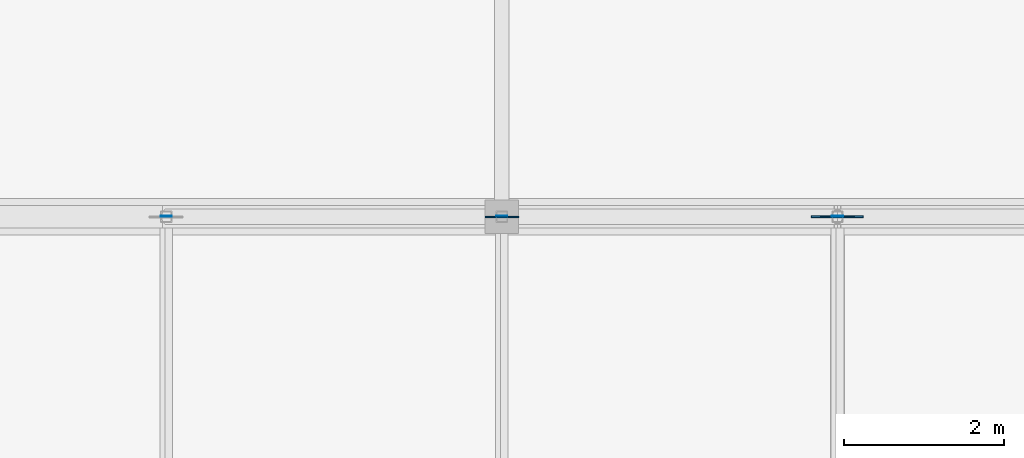
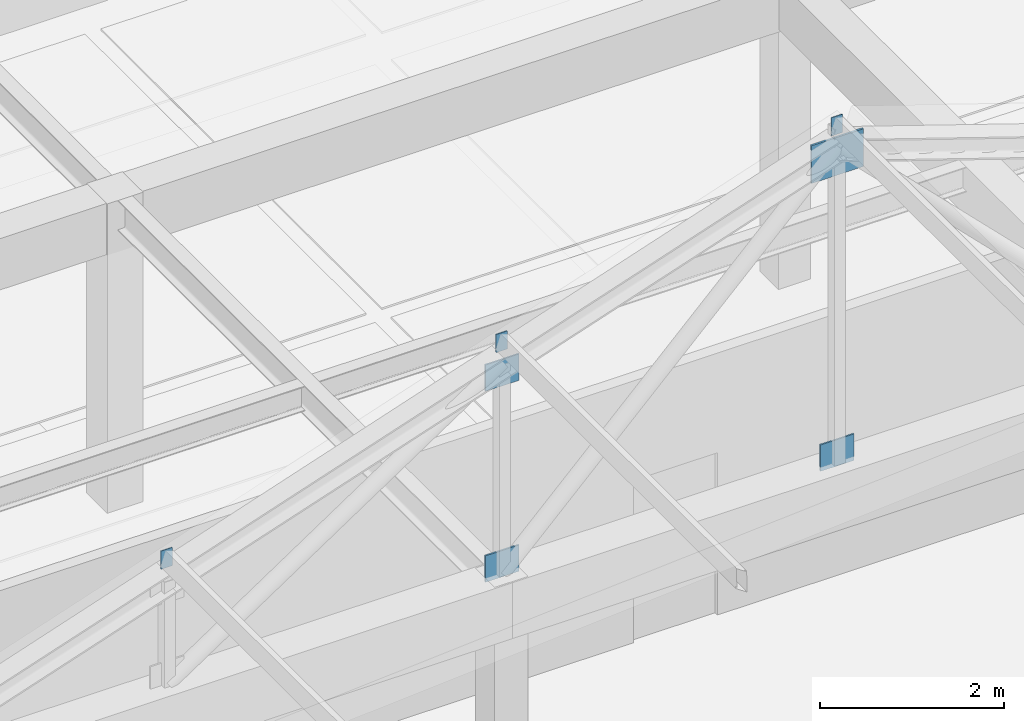
# One storey, part 151 of 192: 7 plates.
"""IFC4 building model written with IfcOpenShell, lengths in metres."""

from ifc_helpers import new_model, si_unit, direction, frame, origin, origin_2d, place, context, subcontext, project, spatial, rectangle, extrude, material, layer, layer_set, type_object, element, save


model = new_model("IFC4")

# Units and contexts
model_context = context("Model", 3, precision=1e-05, world=origin(), true_north=direction((0.0, 1.0)))
body_context = subcontext(model_context, "Body", "Model", "MODEL_VIEW")
ifc_project = project(units=[si_unit("LENGTHUNIT", "METRE"), si_unit("AREAUNIT", "SQUARE_METRE"), si_unit("VOLUMEUNIT", "CUBIC_METRE"), si_unit("PLANEANGLEUNIT", "RADIAN"), si_unit("MASSUNIT", "GRAM", prefix="KILO")], contexts=[model_context])

# Site, building, storey
site_placement = place(None, origin())
site = spatial("IfcSite", under=ifc_project, at=site_placement, CompositionType="ELEMENT")
building_placement = place(site_placement, origin())
building = spatial("IfcBuilding", under=site, at=building_placement, Name="Kveldsbrygga Polytechnic", CompositionType="ELEMENT")
storey_placement = place(building_placement, frame((0.0, 0.0, 5.43994140625)))
storey = spatial("IfcBuildingStorey", under=building, at=storey_placement, Name="L01", CompositionType="ELEMENT", Elevation=5.43994140625)

# Plates
ifc_material = material(Name="Steel S355", Category="steel")
ifc_layer_1 = layer(ifc_material, 0.011962890625)
ifc_layer_set_1 = layer_set([ifc_layer_1], Name="Steel S355")
plate_type_1 = type_object("IfcPlateType", Name="CAP-PRL-200", PredefinedType="SHEET", material=ifc_layer_set_1)
for number, where, z_axis, x_axis, name in (
    (1, (54.60009765625, 84.006103515625, 5.65283203125), (0.0, 0.0, 1.0), (1.0, 0.0, 0.0), "Purlin End Cap Plate V5C-EP-B-1"),
    (2, (58.800048828125, 84.006103515625, 7.05322265625), (0.0, 0.0, 1.0), (1.0, 0.0, 0.0), "Purlin End Cap Plate V5C-EP-B-2"),
    (3, (63.0, 84.006103515625, 8.453125), (0.0, 0.0, 1.0), (1.0, 0.0, 0.0), "Purlin End Cap Plate V5C-EP-B-3"),
):
    element("IfcPlate", number, at=place(storey_placement, frame(where, z_axis=z_axis, x_axis=x_axis)), inside=storey, type_object=plate_type_1, Name=name, PredefinedType="SHEET", context=body_context, shape_type="SweptSolid", body=[
        extrude(rectangle(XDim=0.139892578125, YDim=0.011962890625, at=origin_2d()), origin(), (0.0, 0.0, 1.0), 0.239990234375),
    ])
ifc_layer_2 = layer(ifc_material, 0.02490234375)
ifc_layer_set_2 = layer_set([ifc_layer_2], Name="Steel S355")
plate_type_2 = type_object("IfcPlateType", Name="GUS-APEX-650", PredefinedType="SHEET", material=ifc_layer_set_2)
plate_placement = place(storey_placement, frame((63.0, 84.0, 7.920166015625), z_axis=(0.0, 0.0, 1.0), x_axis=(1.0, 0.0, 0.0)))
element("IfcPlate", 4, at=plate_placement, inside=storey, type_object=plate_type_2, Name="Truss Gusset Plate V5C-T10-GP-3", PredefinedType="SHEET", context=body_context, shape_type="SweptSolid", body=[
    extrude(rectangle(XDim=0.64990234375, YDim=0.02490234375, at=origin_2d()), origin(), (0.0, 0.0, 1.0), 0.5),
])
ifc_layer_3 = layer(ifc_material, 0.02001953125)
ifc_layer_set_3 = layer_set([ifc_layer_3], Name="Steel S355")
plate_type_3 = type_object("IfcPlateType", Name="GUS-LECT-420", PredefinedType="SHEET", material=ifc_layer_set_3)
for number, where, z_axis, x_axis, name in (
    (5, (58.800048828125, 84.0, 6.594970703125), (0.0, 0.0, 1.0), (1.0, 0.0, 0.0), "Truss Gusset Plate V5C-T10-GP-2"),
    (6, (58.800048828125, 84.0, 4.06494140625), (0.0, 0.0, 1.0), (1.0, 0.0, 0.0), "Truss Bottom-Chord Node Gusset V5C-T10-BGP-2"),
    (7, (63.0, 84.0, 4.06494140625), (0.0, 0.0, 1.0), (1.0, 0.0, 0.0), "Truss Bottom-Chord Node Gusset V5C-T10-BGP-3"),
):
    element("IfcPlate", number, at=place(storey_placement, frame(where, z_axis=z_axis, x_axis=x_axis)), inside=storey, type_object=plate_type_3, Name=name, PredefinedType="SHEET", context=body_context, shape_type="SweptSolid", body=[
        extrude(rectangle(XDim=0.419921875, YDim=0.02001953125, at=origin_2d()), origin(), (0.0, 0.0, 1.0), 0.35009765625),
    ])

save(model, "model.ifc")
